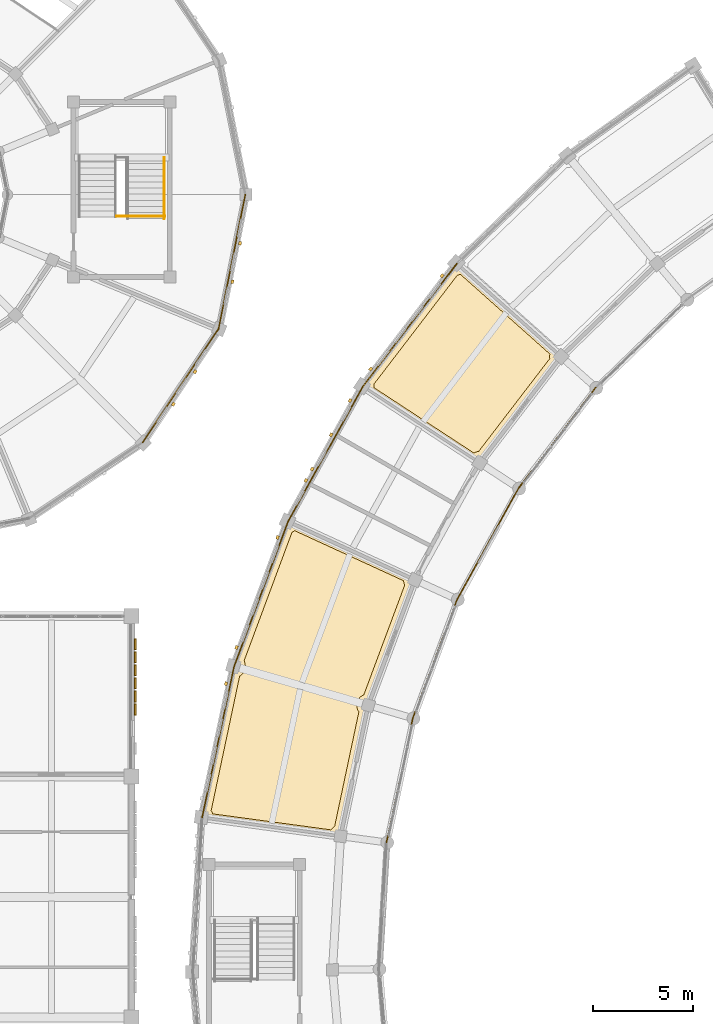
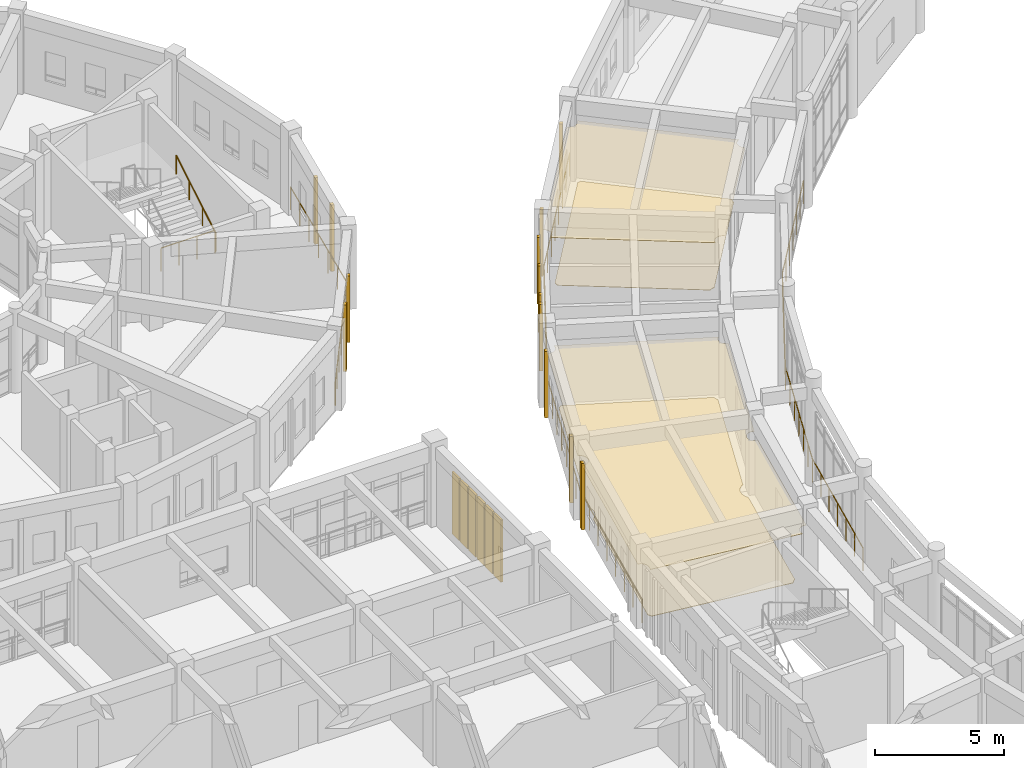
# One storey, part 148 of 159: 17 coverings, 12 railings, 6 shading devices.
"""IFC4 building model written with IfcOpenShell, lengths in metres."""

from ifc_helpers import new_model, si_unit, direction, frame, origin, origin_2d, place, context, subcontext, project, spatial, polyline, rectangle, circle, outline, extrude, material, layer, layer_set, type_object, element, save


model = new_model("IFC4")

# Units and contexts
model_context = context("Model", 3, precision=1e-05, world=origin(), true_north=direction((0.0, 1.0)))
body_context = subcontext(model_context, "Body", "Model", "MODEL_VIEW")
ifc_project = project(units=[si_unit("LENGTHUNIT", "METRE"), si_unit("AREAUNIT", "SQUARE_METRE"), si_unit("VOLUMEUNIT", "CUBIC_METRE"), si_unit("PLANEANGLEUNIT", "RADIAN"), si_unit("MASSUNIT", "GRAM", prefix="KILO")], contexts=[model_context])

# Site, building, storey
site_placement = place(None, origin())
site = spatial("IfcSite", under=ifc_project, at=site_placement, CompositionType="ELEMENT")
building_placement = place(site_placement, origin())
building = spatial("IfcBuilding", under=site, at=building_placement, Name="Celadon Cloister-Ring School", CompositionType="ELEMENT")
storey_placement = place(building_placement, frame((0.0, 0.0, 4.5)))
storey = spatial("IfcBuildingStorey", under=building, at=storey_placement, Name="L01", CompositionType="ELEMENT", Elevation=4.5)

# Coverings
ifc_material_1 = material(Name="Mineral-fibre acoustic ceiling board")
ifc_layer_1 = layer(ifc_material_1, 0.02001953125)
ifc_layer_set_1 = layer_set([ifc_layer_1], Name="Mineral-fibre acoustic ceiling board")
covering_type_1 = type_object("IfcCoveringType", Name="CV-CL1", PredefinedType="CEILING", material=ifc_layer_set_1)
covering_1_placement = place(storey_placement, frame((0.0, 0.0, 2.550048828125)))
element("IfcCovering", 1, at=covering_1_placement, inside=storey, type_object=covering_type_1, Name="Acoustic Ceiling 0010", PredefinedType="CEILING", context=body_context, shape_type="SweptSolid", body=[
    extrude(outline(polyline([(43.659912109375, 87.137939453125), (43.638916015625, 87.158935546875), (43.72802734375, 87.222900390625), (43.7880859375, 87.303955078125), (43.81396484375, 87.366943359375), (43.8291015625, 87.467041015625), (43.81396484375, 87.56689453125), (43.7880859375, 87.6298828125), (43.7509765625, 87.68603515625), (43.677001953125, 87.7529296875), (47.943115234375, 93.322998046875), (48.0048828125, 93.280029296875), (48.10107421875, 93.24609375), (48.16796875, 93.239013671875), (48.26806640625, 93.25390625), (48.360107421875, 93.297119140625), (48.412109375, 93.340087890625), (48.471923828125, 93.4208984375), (48.5, 93.490966796875), (53.284912109375, 89.22802734375), (53.217041015625, 89.194091796875), (53.14794921875, 89.131103515625), (53.09912109375, 89.050048828125), (53.076904296875, 88.958984375), (53.0810546875, 88.865966796875), (53.113037109375, 88.777099609375), (53.1689453125, 88.701904296875), (53.23388671875, 88.652099609375), (49.56689453125, 83.862060546875), (49.492919921875, 83.9169921875), (49.404052734375, 83.948974609375), (49.31103515625, 83.952880859375), (49.219970703125, 83.930908203125), (49.138916015625, 83.882080078125), (49.075927734375, 83.81298828125), (49.035888671875, 83.72802734375), (49.02197265625, 83.637939453125), (48.97607421875, 83.659912109375), (43.659912109375, 87.137939453125)])), origin(), (0.0, 0.0, 1.0), 0.02001953125),
])
covering_2_placement = place(storey_placement, frame((0.0, 0.0, 2.550048828125)))
element("IfcCovering", 2, at=covering_2_placement, inside=storey, type_object=covering_type_1, Name="Acoustic Ceiling 0012", PredefinedType="CEILING", context=body_context, shape_type="SweptSolid", body=[
    extrude(outline(polyline([(39.615966796875, 80.410888671875), (39.68896484375, 80.387939453125), (39.7900390625, 80.383056640625), (39.85595703125, 80.39599609375), (39.947998046875, 80.43896484375), (40.0, 80.48193359375), (40.06005859375, 80.56298828125), (40.093994140625, 80.658935546875), (40.10107421875, 80.735107421875), (40.133056640625, 80.722900390625), (45.906982421875, 78.068115234375), (45.924072265625, 78.055908203125), (45.85009765625, 77.97900390625), (45.81005859375, 77.89404296875), (45.7958984375, 77.801025390625), (45.802001953125, 77.739013671875), (45.833984375, 77.64990234375), (45.889892578125, 77.574951171875), (45.965087890625, 77.51904296875), (46.04296875, 77.489990234375), (43.93505859375, 71.837890625), (43.84912109375, 71.868896484375), (43.787109375, 71.875), (43.72509765625, 71.868896484375), (43.6650390625, 71.85107421875), (43.583984375, 71.802001953125), (43.5400390625, 71.758056640625), (43.5048828125, 71.7060546875), (43.48095703125, 71.64794921875), (43.467041015625, 71.554931640625), (43.472900390625, 71.492919921875), (43.490966796875, 71.43310546875), (43.52099609375, 71.376953125), (43.583984375, 71.30810546875), (43.635986328125, 71.27294921875), (43.694091796875, 71.2490234375), (43.760009765625, 71.236083984375), (42.510986328125, 65.333984375), (42.406005859375, 65.35205078125), (42.31298828125, 65.337890625), (42.22802734375, 65.298095703125), (42.158935546875, 65.235107421875), (42.110107421875, 65.154052734375), (42.087890625, 65.06298828125), (42.092041015625, 64.969970703125), (42.115966796875, 64.89697265625), (42.06494140625, 64.89697265625), (35.76904296875, 65.7490234375), (35.740966796875, 65.759033203125), (35.7880859375, 65.839111328125), (35.81201171875, 65.93701171875), (35.81201171875, 66.0048828125), (35.7880859375, 66.10302734375), (35.736083984375, 66.18994140625), (35.68798828125, 66.238037109375), (35.60107421875, 66.2900390625), (35.52099609375, 66.31201171875), (36.972900390625, 73.176025390625), (37.031005859375, 73.1650390625), (37.09912109375, 73.1650390625), (37.1650390625, 73.177978515625), (37.22802734375, 73.2041015625), (37.30908203125, 73.263916015625), (37.35205078125, 73.31591796875), (37.384033203125, 73.3759765625), (37.403076171875, 73.44091796875), (37.409912109375, 73.508056640625), (37.403076171875, 73.574951171875), (37.384033203125, 73.639892578125), (37.35205078125, 73.699951171875), (37.30908203125, 73.751953125), (37.257080078125, 73.794921875), (37.166015625, 73.837890625), (39.615966796875, 80.410888671875)])), origin(), (0.0, 0.0, 1.0), 0.02001953125),
])
ifc_material_2 = material(Name="Polished cement-marble terrazzo tile", Category="masonry")
ifc_layer_2 = layer(ifc_material_2, 0.01806640625)
ifc_layer_set_2 = layer_set([ifc_layer_2], Name="Polished cement-marble terrazzo tile")
covering_type_2 = type_object("IfcCoveringType", Name="CV-FL1", PredefinedType="FLOORING", material=ifc_layer_set_2)
covering_3_placement = place(storey_placement, origin())
element("IfcCovering", 3, at=covering_3_placement, inside=storey, type_object=covering_type_2, Name="Terrazzo Flooring 0009", PredefinedType="FLOORING", context=body_context, shape_type="SweptSolid", body=[
    extrude(outline(polyline([(44.072021484375, 87.381103515625), (44.074951171875, 87.39697265625), (44.076904296875, 87.4208984375), (44.0791015625, 87.455078125), (44.0791015625, 87.47900390625), (44.076904296875, 87.512939453125), (44.074951171875, 87.537109375), (44.071044921875, 87.56103515625), (48.23095703125, 92.992919921875), (48.238037109375, 92.992919921875), (48.27197265625, 92.998046875), (48.2958984375, 93.0029296875), (48.3291015625, 93.010986328125), (48.35205078125, 93.01806640625), (48.3779296875, 93.028076171875), (52.839111328125, 89.053955078125), (52.839111328125, 89.051025390625), (52.833984375, 89.027099609375), (52.8291015625, 88.99609375), (52.826904296875, 88.971923828125), (52.824951171875, 88.93994140625), (52.824951171875, 88.916015625), (52.826904296875, 88.884033203125), (52.8291015625, 88.860107421875), (52.8330078125, 88.8349609375), (49.284912109375, 84.201904296875), (49.27392578125, 84.200927734375), (49.242919921875, 84.196044921875), (49.218994140625, 84.19091796875), (49.18798828125, 84.18408203125), (49.1650390625, 84.177001953125), (49.135009765625, 84.166015625), (49.113037109375, 84.156982421875), (49.083984375, 84.14306640625), (49.06298828125, 84.132080078125), (49.051025390625, 84.125), (44.072021484375, 87.381103515625)])), origin(), (0.0, 0.0, 1.0), 0.01806640625),
])
covering_4_placement = place(storey_placement, origin())
element("IfcCovering", 4, at=covering_4_placement, inside=storey, type_object=covering_type_2, Name="Terrazzo Flooring 0011", PredefinedType="FLOORING", context=body_context, shape_type="SweptSolid", body=[
    extrude(outline(polyline([(35.958984375, 66.306884765625), (37.3759765625, 73.0009765625), (37.385009765625, 73.007080078125), (37.406005859375, 73.02001953125), (37.43310546875, 73.041015625), (37.451904296875, 73.055908203125), (37.47705078125, 73.0791015625), (37.493896484375, 73.095947265625), (37.51708984375, 73.12109375), (37.531982421875, 73.139892578125), (37.552978515625, 73.1669921875), (37.56591796875, 73.18798828125), (37.583984375, 73.217041015625), (37.594970703125, 73.238037109375), (37.610107421875, 73.26904296875), (37.618896484375, 73.2919921875), (37.631103515625, 73.323974609375), (37.637939453125, 73.346923828125), (37.64599609375, 73.3798828125), (37.65087890625, 73.404052734375), (37.656005859375, 73.43798828125), (37.657958984375, 73.4619140625), (37.659912109375, 73.49609375), (37.659912109375, 73.52001953125), (37.657958984375, 73.553955078125), (37.656005859375, 73.577880859375), (37.65087890625, 73.612060546875), (37.64599609375, 73.635986328125), (37.637939453125, 73.6689453125), (37.631103515625, 73.69189453125), (37.618896484375, 73.72412109375), (37.610107421875, 73.7470703125), (37.59912109375, 73.76904296875), (39.988037109375, 80.178955078125), (39.9951171875, 80.180908203125), (40.02587890625, 80.196044921875), (40.047119140625, 80.20703125), (40.075927734375, 80.22509765625), (40.096923828125, 80.238037109375), (40.1201171875, 80.256103515625), (45.548095703125, 77.760986328125), (45.548095703125, 77.757080078125), (45.550048828125, 77.73291015625), (45.554931640625, 77.701904296875), (45.56005859375, 77.677978515625), (45.56689453125, 77.64697265625), (45.573974609375, 77.6240234375), (45.5849609375, 77.593994140625), (45.593994140625, 77.572021484375), (45.60498046875, 77.548095703125), (43.56689453125, 72.080078125), (43.55810546875, 72.076904296875), (43.529052734375, 72.06298828125), (43.508056640625, 72.052001953125), (43.48095703125, 72.035888671875), (43.4599609375, 72.02197265625), (43.43505859375, 72.0029296875), (43.416015625, 71.988037109375), (43.39306640625, 71.967041015625), (43.375, 71.948974609375), (43.35400390625, 71.926025390625), (43.339111328125, 71.906982421875), (43.320068359375, 71.882080078125), (43.305908203125, 71.861083984375), (43.2900390625, 71.833984375), (43.279052734375, 71.81298828125), (43.264892578125, 71.783935546875), (43.256103515625, 71.761962890625), (43.2451171875, 71.73193359375), (43.238037109375, 71.708984375), (43.23095703125, 71.677978515625), (43.22607421875, 71.654052734375), (43.220947265625, 71.623046875), (43.218994140625, 71.59912109375), (43.217041015625, 71.56689453125), (43.217041015625, 71.54296875), (43.218994140625, 71.510986328125), (43.220947265625, 71.487060546875), (43.22607421875, 71.4560546875), (43.23095703125, 71.431884765625), (43.238037109375, 71.40087890625), (43.2451171875, 71.3779296875), (43.256103515625, 71.347900390625), (43.264892578125, 71.325927734375), (43.279052734375, 71.297119140625), (43.2900390625, 71.27587890625), (43.305908203125, 71.2490234375), (43.319091796875, 71.22998046875), (42.111083984375, 65.51904296875), (42.10009765625, 65.512939453125), (42.0791015625, 65.4990234375), (42.053955078125, 65.47998046875), (42.034912109375, 65.465087890625), (42.011962890625, 65.444091796875), (41.993896484375, 65.426025390625), (41.972900390625, 65.403076171875), (41.9580078125, 65.384033203125), (41.93896484375, 65.35888671875), (41.931884765625, 65.34912109375), (36.037109375, 66.14599609375), (36.034912109375, 66.155029296875), (36.02294921875, 66.18701171875), (36.013916015625, 66.2099609375), (35.9990234375, 66.240966796875), (35.988037109375, 66.261962890625), (35.969970703125, 66.291015625), (35.958984375, 66.306884765625)])), origin(), (0.0, 0.0, 1.0), 0.01806640625),
])
ifc_material_3 = material(Name="Perforated terracotta clay brick masonry", Category="masonry")
ifc_layer_3 = layer(ifc_material_3, 0.139892578125)
ifc_layer_set_3 = layer_set([ifc_layer_3], Name="Perforated terracotta clay brick masonry")
covering_type_3 = type_object("IfcCoveringType", Name="CV-SC1", PredefinedType="CLADDING", material=ifc_layer_set_3)
for number, where, z_axis, x_axis, name in (
    (5, (43.906982421875, 88.31103515625, 0.0), (0.0, 0.0, 1.0), (0.608041153742, 0.793905507826, 0.0), "Brick Screen Rib 0130"),
    (6, (47.464111328125, 92.955078125, 0.0), (0.0, 0.0, 1.0), (0.608041153742, 0.793905507826, 0.0), "Brick Screen Rib 0131"),
    (7, (40.678955078125, 82.760009765625, 0.0), (0.0, 0.0, 1.0), (0.483862906985, 0.875143809465, 0.0), "Brick Screen Rib 0132"),
    (8, (40.992919921875, 83.3291015625, 0.0), (0.0, 0.0, 1.0), (0.483862906985, 0.875143809465, 0.0), "Brick Screen Rib 0133"),
    (9, (41.93701171875, 85.034912109375, 0.0), (0.0, 0.0, 1.0), (0.483862906985, 0.875143809465, 0.0), "Brick Screen Rib 0134"),
    (10, (42.8798828125, 86.741943359375, 0.0), (0.0, 0.0, 1.0), (0.483862906985, 0.875143809465, 0.0), "Brick Screen Rib 0135"),
    (11, (37.222900390625, 74.43798828125, 0.0), (0.0, 0.0, 1.0), (0.349438906874, 0.936959150851, 0.0), "Brick Screen Rib 0136"),
    (12, (39.26708984375, 79.9189453125, 0.0), (0.0, 0.0, 1.0), (0.349438906874, 0.936959150851, 0.0), "Brick Screen Rib 0137"),
    (13, (36.699951171875, 72.637939453125, 0.0), (0.0, 0.0, 1.0), (0.207075091974, 0.978325051445, 0.0), "Brick Screen Rib 0139"),
    (14, (35.159912109375, 88.177001953125, 0.0), (0.0, 0.0, 1.0), (-0.55567181205, -0.831401730389, 0.0), "Brick Screen Rib 0498"),
    (15, (34.075927734375, 86.555908203125, 0.0), (0.0, 0.0, 1.0), (-0.55567181205, -0.831401730389, 0.0), "Brick Screen Rib 0499"),
    (16, (37.39794921875, 94.572998046875, 0.0), (0.0, 0.0, 1.0), (-0.195141675546, -0.980775064153, 0.0), "Brick Screen Rib 0500"),
    (17, (37.01708984375, 92.660888671875, 0.0), (0.0, 0.0, 1.0), (-0.195141675546, -0.980775064153, 0.0), "Brick Screen Rib 0501"),
):
    element("IfcCovering", number, at=place(storey_placement, frame(where, z_axis=z_axis, x_axis=x_axis)), inside=storey, type_object=covering_type_3, Name=name, PredefinedType="CLADDING", context=body_context, shape_type="SweptSolid", body=[
        extrude(rectangle(XDim=0.179931640625, YDim=0.139892578125, at=origin_2d()), origin(), (0.0, 0.0, 1.0), 3.152099609375),
    ])

# Railings
ifc_material_4 = material(Name="Structural steel S355JR", Category="steel")
railing_type_1 = type_object("IfcRailingType", Name="RL-BL1", PredefinedType="BALUSTRADE", material=ifc_material_4)
railing_1_placement = place(storey_placement, frame((48.197021484375, 93.556884765625, 0.0)))
element("IfcRailing", 18, at=railing_1_placement, inside=storey, type_object=railing_type_1, Name="Terrace Balustrade 0003", PredefinedType="BALUSTRADE", context=body_context, shape_type="SweptSolid", body=[
    extrude(circle(Radius=0.02392578125, at=origin_2d()), frame((0.0, 0.0, 1.09619140625), z_axis=(-0.607877382965, -0.794030910783, 0.0), x_axis=(0.794030910783, -0.607877382965, 0.0)), (0.0, 0.0, 1.0), 7.697265625),
    extrude(circle(Radius=0.02099609375, at=origin_2d()), origin(), (0.0, 0.0, 1.0), 1.072021484375),
    extrude(circle(Radius=0.02099609375, at=origin_2d()), frame((-0.66845703125, -0.873046875, 0.0)), (0.0, 0.0, 1.0), 1.072021484375),
    extrude(circle(Radius=0.02099609375, at=origin_2d()), frame((-1.3369140625, -1.746337890625, 0.0)), (0.0, 0.0, 1.0), 1.072021484375),
    extrude(circle(Radius=0.02099609375, at=origin_2d()), frame((-2.00537109375, -2.619384765625, 0.0)), (0.0, 0.0, 1.0), 1.072021484375),
    extrude(circle(Radius=0.02099609375, at=origin_2d()), frame((-2.673583984375, -3.492431640625, 0.0)), (0.0, 0.0, 1.0), 1.072021484375),
    extrude(circle(Radius=0.02099609375, at=origin_2d()), frame((-3.342041015625, -4.365478515625, 0.0)), (0.0, 0.0, 1.0), 1.072021484375),
    extrude(circle(Radius=0.02099609375, at=origin_2d()), frame((-4.010498046875, -5.23876953125, 0.0)), (0.0, 0.0, 1.0), 1.072021484375),
    extrude(circle(Radius=0.02099609375, at=origin_2d()), frame((-4.678955078125, -6.11181640625, 0.0)), (0.0, 0.0, 1.0), 1.072021484375),
])
railing_2_placement = place(storey_placement, frame((43.51806640625, 87.445068359375, 0.0)))
element("IfcRailing", 19, at=railing_2_placement, inside=storey, type_object=railing_type_1, Name="Terrace Balustrade 0004", PredefinedType="BALUSTRADE", context=body_context, shape_type="SweptSolid", body=[
    extrude(circle(Radius=0.02392578125, at=origin_2d()), frame((0.0, 0.0, 1.09619140625), z_axis=(-0.484034517871, -0.875048904638, 0.0), x_axis=(0.875048904638, -0.484034517871, 0.0)), (0.0, 0.0, 1.0), 7.697998046875),
    extrude(circle(Radius=0.02099609375, at=origin_2d()), origin(), (0.0, 0.0, 1.0), 1.072021484375),
    extrude(circle(Radius=0.02099609375, at=origin_2d()), frame((-0.5322265625, -0.96240234375, 0.0)), (0.0, 0.0, 1.0), 1.072021484375),
    extrude(circle(Radius=0.02099609375, at=origin_2d()), frame((-1.064697265625, -1.924560546875, 0.0)), (0.0, 0.0, 1.0), 1.072021484375),
    extrude(circle(Radius=0.02099609375, at=origin_2d()), frame((-1.596923828125, -2.886962890625, 0.0)), (0.0, 0.0, 1.0), 1.072021484375),
    extrude(circle(Radius=0.02099609375, at=origin_2d()), frame((-2.129150390625, -3.84912109375, 0.0)), (0.0, 0.0, 1.0), 1.072021484375),
    extrude(circle(Radius=0.02099609375, at=origin_2d()), frame((-2.661376953125, -4.8115234375, 0.0)), (0.0, 0.0, 1.0), 1.072021484375),
    extrude(circle(Radius=0.02099609375, at=origin_2d()), frame((-3.19384765625, -5.773681640625, 0.0)), (0.0, 0.0, 1.0), 1.072021484375),
    extrude(circle(Radius=0.02099609375, at=origin_2d()), frame((-3.72607421875, -6.736083984375, 0.0)), (0.0, 0.0, 1.0), 1.072021484375),
])
railing_3_placement = place(storey_placement, frame((39.7919921875, 80.708984375, 0.0)))
element("IfcRailing", 20, at=railing_3_placement, inside=storey, type_object=railing_type_1, Name="Terrace Balustrade 0005", PredefinedType="BALUSTRADE", context=body_context, shape_type="SweptSolid", body=[
    extrude(circle(Radius=0.02392578125, at=origin_2d()), frame((0.0, 0.0, 1.09619140625), z_axis=(-0.349315433681, -0.93700519091, 0.0), x_axis=(0.93700519091, -0.349315433681, 0.0)), (0.0, 0.0, 1.0), 7.69775390625),
    extrude(circle(Radius=0.02099609375, at=origin_2d()), origin(), (0.0, 0.0, 1.0), 1.072021484375),
    extrude(circle(Radius=0.02099609375, at=origin_2d()), frame((-0.384033203125, -1.030517578125, 0.0)), (0.0, 0.0, 1.0), 1.072021484375),
    extrude(circle(Radius=0.02099609375, at=origin_2d()), frame((-0.768310546875, -2.060791015625, 0.0)), (0.0, 0.0, 1.0), 1.072021484375),
    extrude(circle(Radius=0.02099609375, at=origin_2d()), frame((-1.15234375, -3.09130859375, 0.0)), (0.0, 0.0, 1.0), 1.072021484375),
    extrude(circle(Radius=0.02099609375, at=origin_2d()), frame((-1.53662109375, -4.12158203125, 0.0)), (0.0, 0.0, 1.0), 1.072021484375),
    extrude(circle(Radius=0.02099609375, at=origin_2d()), frame((-1.920654296875, -5.152099609375, 0.0)), (0.0, 0.0, 1.0), 1.072021484375),
    extrude(circle(Radius=0.02099609375, at=origin_2d()), frame((-2.304931640625, -6.182373046875, 0.0)), (0.0, 0.0, 1.0), 1.072021484375),
    extrude(circle(Radius=0.02099609375, at=origin_2d()), frame((-2.68896484375, -7.212890625, 0.0)), (0.0, 0.0, 1.0), 1.072021484375),
])
railing_4_placement = place(storey_placement, frame((37.10302734375, 73.49609375, 0.0)))
element("IfcRailing", 21, at=railing_4_placement, inside=storey, type_object=railing_type_1, Name="Terrace Balustrade 0006", PredefinedType="BALUSTRADE", context=body_context, shape_type="SweptSolid", body=[
    extrude(circle(Radius=0.02392578125, at=origin_2d()), frame((0.0, 0.0, 1.09619140625), z_axis=(-0.207095796357, -0.978320668866, 0.0), x_axis=(0.978320668866, -0.207095796357, 0.0)), (0.0, 0.0, 1.0), 7.69677734375),
    extrude(circle(Radius=0.02099609375, at=origin_2d()), origin(), (0.0, 0.0, 1.0), 1.072021484375),
    extrude(circle(Radius=0.02099609375, at=origin_2d()), frame((-0.227783203125, -1.07568359375, 0.0)), (0.0, 0.0, 1.0), 1.072021484375),
    extrude(circle(Radius=0.02099609375, at=origin_2d()), frame((-0.455322265625, -2.1513671875, 0.0)), (0.0, 0.0, 1.0), 1.072021484375),
    extrude(circle(Radius=0.02099609375, at=origin_2d()), frame((-0.68310546875, -3.22705078125, 0.0)), (0.0, 0.0, 1.0), 1.072021484375),
    extrude(circle(Radius=0.02099609375, at=origin_2d()), frame((-0.910888671875, -4.302978515625, 0.0)), (0.0, 0.0, 1.0), 1.072021484375),
    extrude(circle(Radius=0.02099609375, at=origin_2d()), frame((-1.138671875, -5.378662109375, 0.0)), (0.0, 0.0, 1.0), 1.072021484375),
    extrude(circle(Radius=0.02099609375, at=origin_2d()), frame((-1.3662109375, -6.454345703125, 0.0)), (0.0, 0.0, 1.0), 1.072021484375),
    extrude(circle(Radius=0.02099609375, at=origin_2d()), frame((-1.593994140625, -7.530029296875, 0.0)), (0.0, 0.0, 1.0), 1.072021484375),
])
railing_5_placement = place(storey_placement, frame((55.1201171875, 87.39208984375, 0.0)))
element("IfcRailing", 22, at=railing_5_placement, inside=storey, type_object=railing_type_1, Name="Terrace Balustrade 0038", PredefinedType="BALUSTRADE", context=body_context, shape_type="SweptSolid", body=[
    extrude(circle(Radius=0.02392578125, at=origin_2d()), frame((0.0, 0.0, 1.09619140625), z_axis=(-0.607937118404, -0.793985176226, 0.0), x_axis=(0.793985176226, -0.607937118404, 0.0)), (0.0, 0.0, 1.0), 6.324951171875),
    extrude(circle(Radius=0.02099609375, at=origin_2d()), origin(), (0.0, 0.0, 1.0), 1.072021484375),
    extrude(circle(Radius=0.02099609375, at=origin_2d()), frame((-0.640869140625, -0.8369140625, 0.0)), (0.0, 0.0, 1.0), 1.072021484375),
    extrude(circle(Radius=0.02099609375, at=origin_2d()), frame((-1.28173828125, -1.674072265625, 0.0)), (0.0, 0.0, 1.0), 1.072021484375),
    extrude(circle(Radius=0.02099609375, at=origin_2d()), frame((-1.922607421875, -2.510986328125, 0.0)), (0.0, 0.0, 1.0), 1.072021484375),
    extrude(circle(Radius=0.02099609375, at=origin_2d()), frame((-2.5634765625, -3.347900390625, 0.0)), (0.0, 0.0, 1.0), 1.072021484375),
    extrude(circle(Radius=0.02099609375, at=origin_2d()), frame((-3.204345703125, -4.18505859375, 0.0)), (0.0, 0.0, 1.0), 1.072021484375),
    extrude(circle(Radius=0.02099609375, at=origin_2d()), frame((-3.84521484375, -5.02197265625, 0.0)), (0.0, 0.0, 1.0), 1.072021484375),
])
railing_6_placement = place(storey_placement, frame((51.27490234375, 82.3701171875, 0.0)))
element("IfcRailing", 23, at=railing_6_placement, inside=storey, type_object=railing_type_1, Name="Terrace Balustrade 0039", PredefinedType="BALUSTRADE", context=body_context, shape_type="SweptSolid", body=[
    extrude(circle(Radius=0.02392578125, at=origin_2d()), frame((0.0, 0.0, 1.09619140625), z_axis=(-0.483861994354, -0.875144314053, 0.0), x_axis=(0.875144314053, -0.483861994354, 0.0)), (0.0, 0.0, 1.0), 6.32373046875),
    extrude(circle(Radius=0.02099609375, at=origin_2d()), origin(), (0.0, 0.0, 1.0), 1.072021484375),
    extrude(circle(Radius=0.02099609375, at=origin_2d()), frame((-0.510009765625, -0.92236328125, 0.0)), (0.0, 0.0, 1.0), 1.072021484375),
    extrude(circle(Radius=0.02099609375, at=origin_2d()), frame((-1.02001953125, -1.8447265625, 0.0)), (0.0, 0.0, 1.0), 1.072021484375),
    extrude(circle(Radius=0.02099609375, at=origin_2d()), frame((-1.52978515625, -2.76708984375, 0.0)), (0.0, 0.0, 1.0), 1.072021484375),
    extrude(circle(Radius=0.02099609375, at=origin_2d()), frame((-2.039794921875, -3.689453125, 0.0)), (0.0, 0.0, 1.0), 1.072021484375),
    extrude(circle(Radius=0.02099609375, at=origin_2d()), frame((-2.5498046875, -4.61181640625, 0.0)), (0.0, 0.0, 1.0), 1.072021484375),
    extrude(circle(Radius=0.02099609375, at=origin_2d()), frame((-3.059814453125, -5.5341796875, 0.0)), (0.0, 0.0, 1.0), 1.072021484375),
])
railing_7_placement = place(storey_placement, frame((48.215087890625, 76.8359375, 0.0)))
element("IfcRailing", 24, at=railing_7_placement, inside=storey, type_object=railing_type_1, Name="Terrace Balustrade 0040", PredefinedType="BALUSTRADE", context=body_context, shape_type="SweptSolid", body=[
    extrude(circle(Radius=0.02392578125, at=origin_2d()), frame((0.0, 0.0, 1.09619140625), z_axis=(-0.349451948975, -0.936954286696, 0.0), x_axis=(0.936954286696, -0.349451948975, 0.0)), (0.0, 0.0, 1.0), 6.32470703125),
    extrude(circle(Radius=0.02099609375, at=origin_2d()), origin(), (0.0, 0.0, 1.0), 1.072021484375),
    extrude(circle(Radius=0.02099609375, at=origin_2d()), frame((-0.368408203125, -0.98779296875, 0.0)), (0.0, 0.0, 1.0), 1.072021484375),
    extrude(circle(Radius=0.02099609375, at=origin_2d()), frame((-0.73681640625, -1.975341796875, 0.0)), (0.0, 0.0, 1.0), 1.072021484375),
    extrude(circle(Radius=0.02099609375, at=origin_2d()), frame((-1.10498046875, -2.962890625, 0.0)), (0.0, 0.0, 1.0), 1.072021484375),
    extrude(circle(Radius=0.02099609375, at=origin_2d()), frame((-1.473388671875, -3.95068359375, 0.0)), (0.0, 0.0, 1.0), 1.072021484375),
    extrude(circle(Radius=0.02099609375, at=origin_2d()), frame((-1.841796875, -4.9384765625, 0.0)), (0.0, 0.0, 1.0), 1.072021484375),
    extrude(circle(Radius=0.02099609375, at=origin_2d()), frame((-2.210205078125, -5.926025390625, 0.0)), (0.0, 0.0, 1.0), 1.072021484375),
])
railing_8_placement = place(storey_placement, frame((46.0048828125, 70.909912109375, 0.0)))
element("IfcRailing", 25, at=railing_8_placement, inside=storey, type_object=railing_type_1, Name="Terrace Balustrade 0041", PredefinedType="BALUSTRADE", context=body_context, shape_type="SweptSolid", body=[
    extrude(circle(Radius=0.02392578125, at=origin_2d()), frame((0.0, 0.0, 1.09619140625), z_axis=(-0.207113498668, -0.978316921386, 0.0), x_axis=(0.978316921386, -0.207113498668, 0.0)), (0.0, 0.0, 1.0), 6.32421875),
    extrude(circle(Radius=0.02099609375, at=origin_2d()), origin(), (0.0, 0.0, 1.0), 1.072021484375),
    extrude(circle(Radius=0.02099609375, at=origin_2d()), frame((-0.21826171875, -1.03125, 0.0)), (0.0, 0.0, 1.0), 1.072021484375),
    extrude(circle(Radius=0.02099609375, at=origin_2d()), frame((-0.4365234375, -2.062255859375, 0.0)), (0.0, 0.0, 1.0), 1.072021484375),
    extrude(circle(Radius=0.02099609375, at=origin_2d()), frame((-0.65478515625, -3.093505859375, 0.0)), (0.0, 0.0, 1.0), 1.072021484375),
    extrude(circle(Radius=0.02099609375, at=origin_2d()), frame((-0.873291015625, -4.124755859375, 0.0)), (0.0, 0.0, 1.0), 1.072021484375),
    extrude(circle(Radius=0.02099609375, at=origin_2d()), frame((-1.091552734375, -5.15576171875, 0.0)), (0.0, 0.0, 1.0), 1.072021484375),
    extrude(circle(Radius=0.02099609375, at=origin_2d()), frame((-1.309814453125, -6.18701171875, 0.0)), (0.0, 0.0, 1.0), 1.072021484375),
])
railing_9_placement = place(storey_placement, frame((32.5458984375, 84.654052734375, 0.0)))
element("IfcRailing", 26, at=railing_9_placement, inside=storey, type_object=railing_type_1, Name="Terrace Balustrade 0231", PredefinedType="BALUSTRADE", context=body_context, shape_type="SweptSolid", body=[
    extrude(circle(Radius=0.02392578125, at=origin_2d()), frame((0.0, 0.0, 1.09619140625), z_axis=(0.555626116577, 0.831432269387, 0.0), x_axis=(-0.831432269387, 0.555626116577, 0.0)), (0.0, 0.0, 1.0), 6.8125),
    extrude(circle(Radius=0.02099609375, at=origin_2d()), origin(), (0.0, 0.0, 1.0), 1.072021484375),
    extrude(circle(Radius=0.02099609375, at=origin_2d()), frame((0.630859375, 0.944091796875, 0.0)), (0.0, 0.0, 1.0), 1.072021484375),
    extrude(circle(Radius=0.02099609375, at=origin_2d()), frame((1.26171875, 1.887939453125, 0.0)), (0.0, 0.0, 1.0), 1.072021484375),
    extrude(circle(Radius=0.02099609375, at=origin_2d()), frame((1.892578125, 2.83203125, 0.0)), (0.0, 0.0, 1.0), 1.072021484375),
    extrude(circle(Radius=0.02099609375, at=origin_2d()), frame((2.5234375, 3.776123046875, 0.0)), (0.0, 0.0, 1.0), 1.072021484375),
    extrude(circle(Radius=0.02099609375, at=origin_2d()), frame((3.154296875, 4.719970703125, 0.0)), (0.0, 0.0, 1.0), 1.072021484375),
    extrude(circle(Radius=0.02099609375, at=origin_2d()), frame((3.78515625, 5.6640625, 0.0)), (0.0, 0.0, 1.0), 1.072021484375),
])
railing_10_placement = place(storey_placement, frame((36.3310546875, 90.318115234375, 0.0)))
element("IfcRailing", 27, at=railing_10_placement, inside=storey, type_object=railing_type_1, Name="Terrace Balustrade 0232", PredefinedType="BALUSTRADE", context=body_context, shape_type="SweptSolid", body=[
    extrude(circle(Radius=0.02392578125, at=origin_2d()), frame((0.0, 0.0, 1.09619140625), z_axis=(0.19505472673, 0.980792360074, 0.0), x_axis=(-0.980792360074, 0.19505472673, 0.0)), (0.0, 0.0, 1.0), 6.812744140625),
    extrude(circle(Radius=0.02099609375, at=origin_2d()), origin(), (0.0, 0.0, 1.0), 1.072021484375),
    extrude(circle(Radius=0.02099609375, at=origin_2d()), frame((0.221435546875, 1.11376953125, 0.0)), (0.0, 0.0, 1.0), 1.072021484375),
    extrude(circle(Radius=0.02099609375, at=origin_2d()), frame((0.44287109375, 2.227294921875, 0.0)), (0.0, 0.0, 1.0), 1.072021484375),
    extrude(circle(Radius=0.02099609375, at=origin_2d()), frame((0.66455078125, 3.3408203125, 0.0)), (0.0, 0.0, 1.0), 1.072021484375),
    extrude(circle(Radius=0.02099609375, at=origin_2d()), frame((0.885986328125, 4.45458984375, 0.0)), (0.0, 0.0, 1.0), 1.072021484375),
    extrude(circle(Radius=0.02099609375, at=origin_2d()), frame((1.107421875, 5.568359375, 0.0)), (0.0, 0.0, 1.0), 1.072021484375),
    extrude(circle(Radius=0.02099609375, at=origin_2d()), frame((1.328857421875, 6.681884765625, 0.0)), (0.0, 0.0, 1.0), 1.072021484375),
])
ifc_material_5 = material(Name="Structural steel S355JR", Category="steel")
railing_type_2 = type_object("IfcRailingType", Name="RL-BL2", PredefinedType="BALUSTRADE", material=ifc_material_5)
railing_11_placement = place(storey_placement, frame((31.239990234375, 95.9150390625, 0.0)))
element("IfcRailing", 28, at=railing_11_placement, inside=storey, type_object=railing_type_2, Name="Interior Guard 0144", PredefinedType="BALUSTRADE", context=body_context, shape_type="SweptSolid", body=[
    extrude(circle(Radius=0.02392578125, at=origin_2d()), frame((0.0, 0.0, 1.09619140625), z_axis=(1.0, 0.0, 0.0), x_axis=(0.0, 1.0, 0.0)), (0.0, 0.0, 1.0), 2.419921875),
    extrude(circle(Radius=0.02099609375, at=origin_2d()), origin(), (0.0, 0.0, 1.0), 1.072021484375),
    extrude(circle(Radius=0.02099609375, at=origin_2d()), frame((0.806640625, 0.0, 0.0)), (0.0, 0.0, 1.0), 1.072021484375),
    extrude(circle(Radius=0.02099609375, at=origin_2d()), frame((1.61328125, 0.0, 0.0)), (0.0, 0.0, 1.0), 1.072021484375),
    extrude(circle(Radius=0.02099609375, at=origin_2d()), frame((2.419921875, 0.0, 0.0)), (0.0, 0.0, 1.0), 1.072021484375),
])
ifc_material_6 = material(Name="Structural steel S355JR", Category="steel")
railing_type_3 = type_object("IfcRailingType", Name="RL-HR1", PredefinedType="HANDRAIL", material=ifc_material_6)
railing_12_placement = place(storey_placement, frame((33.614990234375, 95.800048828125, 0.181884765625)))
element("IfcRailing", 29, at=railing_12_placement, inside=storey, type_object=railing_type_3, Name="Stair Handrail 0139", PredefinedType="HANDRAIL", context=body_context, shape_type="SweptSolid", body=[
    extrude(circle(Radius=0.02099609375, at=origin_2d()), frame((0.0, 0.0, 0.87890625), z_axis=(0.0, 0.858969654429, 0.51202649616), x_axis=(-1.0, 0.0, 0.0)), (0.0, 0.0, 1.0), 3.55078125),
    extrude(circle(Radius=0.01806640625, at=origin_2d()), origin(), (0.0, 0.0, 1.0), 0.85791015625),
    extrude(circle(Radius=0.01806640625, at=origin_2d()), frame((0.0, 1.0166015625, 0.60595703125)), (0.0, 0.0, 1.0), 0.85791015625),
    extrude(circle(Radius=0.01806640625, at=origin_2d()), frame((0.0, 2.033447265625, 1.212158203125)), (0.0, 0.0, 1.0), 0.85791015625),
    extrude(circle(Radius=0.01806640625, at=origin_2d()), frame((0.0, 3.050048828125, 1.818115234375)), (0.0, 0.0, 1.0), 0.85791015625),
])

# Shading devices
ifc_material_7 = material(Name="Glazed celadon architectural terracotta", Category="masonry")
shading_device_type = type_object("IfcShadingDeviceType", Name="SD-01", PredefinedType="USERDEFINED", material=ifc_material_7)
for number, where, z_axis, x_axis, name in (
    (30, (32.172119140625, 74.60009765625, 0.0), (0.0, 0.0, 1.0), (0.0, -1.0, 0.0), "Celadon Sunshade Screen 0118"),
    (31, (32.172119140625, 73.949951171875, 0.0), (0.0, 0.0, 1.0), (0.0, -1.0, 0.0), "Celadon Sunshade Screen 0119"),
    (32, (32.172119140625, 73.300048828125, 0.0), (0.0, 0.0, 1.0), (0.0, -1.0, 0.0), "Celadon Sunshade Screen 0120"),
    (33, (32.172119140625, 72.64990234375, 0.0), (0.0, 0.0, 1.0), (0.0, -1.0, 0.0), "Celadon Sunshade Screen 0121"),
    (34, (32.172119140625, 72.0, 0.0), (0.0, 0.0, 1.0), (0.0, -1.0, 0.0), "Celadon Sunshade Screen 0122"),
    (35, (32.172119140625, 71.35009765625, 0.0), (0.0, 0.0, 1.0), (0.0, -1.0, 0.0), "Celadon Sunshade Screen 0123"),
):
    element("IfcShadingDevice", number, at=place(storey_placement, frame(where, z_axis=z_axis, x_axis=x_axis)), inside=storey, type_object=shading_device_type, Name=name, ObjectType="SUNSHADE", PredefinedType="USERDEFINED", context=body_context, shape_type="SweptSolid", body=[
        extrude(rectangle(XDim=0.56005859375, YDim=0.090087890625, at=origin_2d()), origin(), (0.0, 0.0, 1.0), 2.949951171875),
    ])

save(model, "model.ifc")
